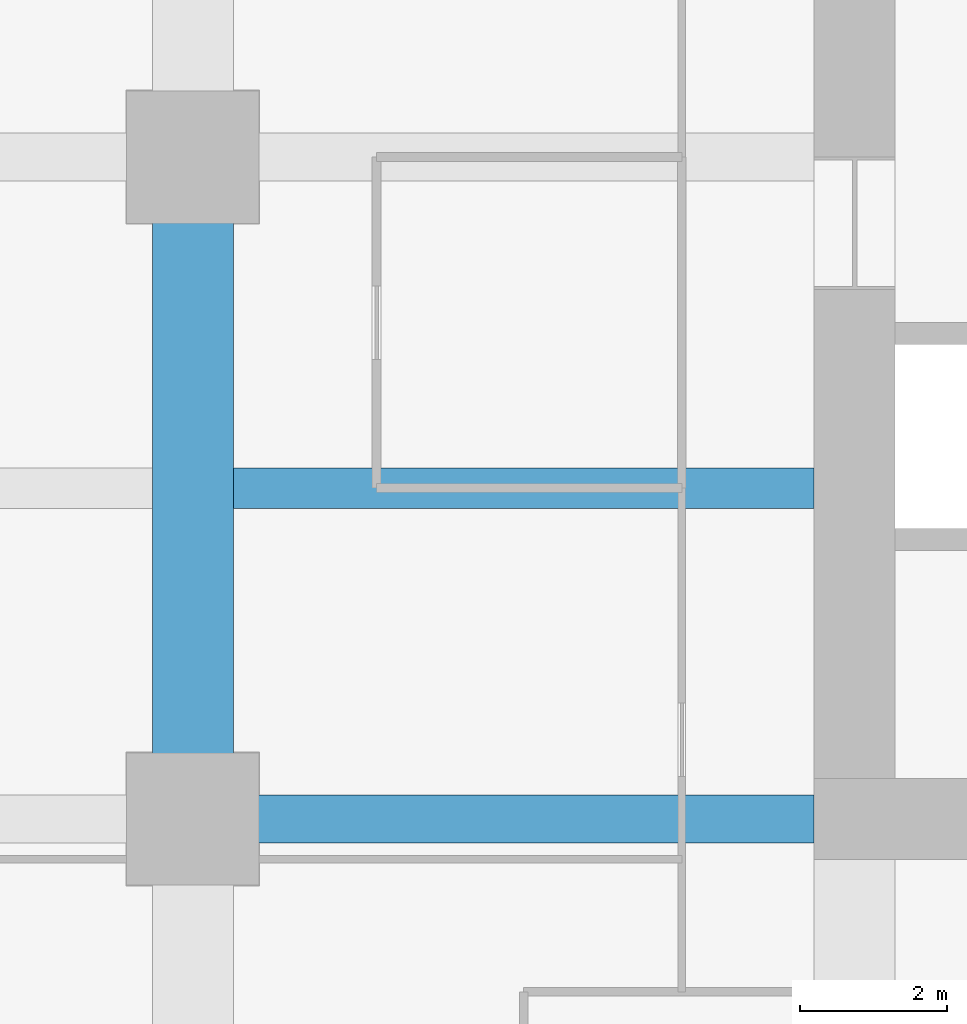
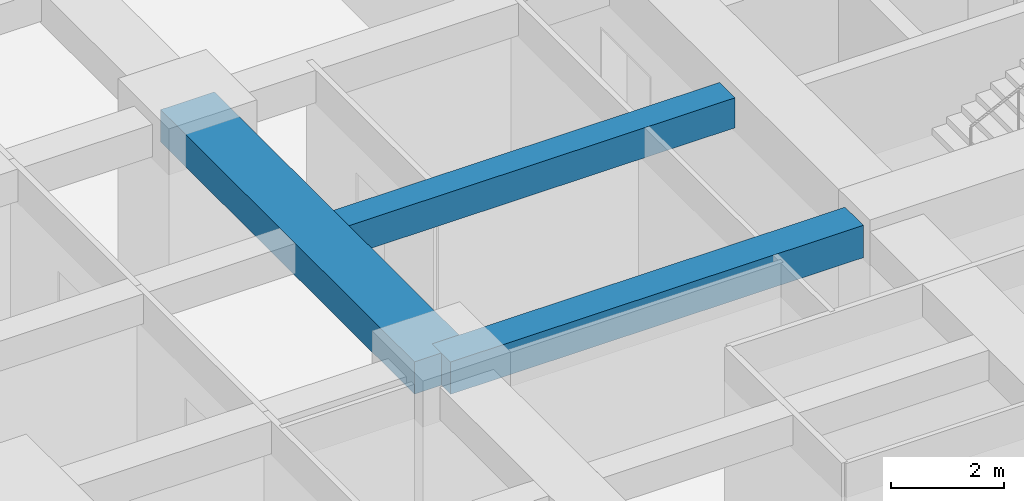
# One storey, part 10 of 41: 3 beams.
"""IFC4 building model written with IfcOpenShell, lengths in metres."""

from ifc_helpers import new_model, si_unit, direction, frame, origin, origin_2d, place, context, subcontext, project, spatial, rectangle, extrude, material, material_profile, profile_set, type_object, element, save


model = new_model("IFC4")

# Units and contexts
model_context = context("Model", 3, precision=1e-05, world=origin(), true_north=direction((0.0, 1.0)))
body_context = subcontext(model_context, "Body", "Model", "MODEL_VIEW")
ifc_project = project(units=[si_unit("LENGTHUNIT", "METRE"), si_unit("AREAUNIT", "SQUARE_METRE"), si_unit("VOLUMEUNIT", "CUBIC_METRE"), si_unit("PLANEANGLEUNIT", "RADIAN"), si_unit("MASSUNIT", "GRAM", prefix="KILO")], contexts=[model_context])

# Site, building, storey
site_placement = place(None, origin())
site = spatial("IfcSite", under=ifc_project, at=site_placement, CompositionType="ELEMENT")
building_placement = place(site_placement, origin())
building = spatial("IfcBuilding", under=site, at=building_placement, Name="Zorevar Civic Tower", CompositionType="ELEMENT")
storey_placement = place(building_placement, frame((0.0, 0.0, 137.0)))
storey = spatial("IfcBuildingStorey", under=building, at=storey_placement, Name="L33", CompositionType="ELEMENT", Elevation=137.0)

# Beams
ifc_material_1 = material(Name="Concrete C50/60", Category="concrete")
ifc_material_profile_1 = material_profile(ifc_material_1, rectangle(XDim=1.10009765625, YDim=0.699951171875, at=origin_2d()), Name="RC 1100x700")
ifc_profile_set_1 = profile_set([ifc_material_profile_1], Name="Concrete C50/60")
beam_type_1 = type_object("IfcBeamType", Name="Beam RC 1100x700", PredefinedType="BEAM", material=ifc_profile_set_1)
beam_1_placement = place(storey_placement, frame((9.0, 18.0, 3.39990234375), z_axis=(0.0, 1.0, 0.0), x_axis=(-1.0, 0.0, 0.0)))
element("IfcBeam", 1, at=beam_1_placement, inside=storey, type_object=beam_type_1, Name="Girder L34", PredefinedType="BEAM", context=body_context, shape_type="SweptSolid", body=[
    extrude(rectangle(XDim=1.10009765625, YDim=0.699951171875, at=origin_2d()), origin(), (0.0, 0.0, 1.0), 9.0),
])
ifc_material_2 = material(Name="Concrete C50/60", Category="concrete")
ifc_material_profile_2 = material_profile(ifc_material_2, rectangle(XDim=0.550048828125, YDim=0.64990234375, at=origin_2d()), Name="RC 550x650")
ifc_profile_set_2 = profile_set([ifc_material_profile_2], Name="Concrete C50/60")
beam_type_2 = type_object("IfcBeamType", Name="Beam RC 550x650", PredefinedType="BEAM", material=ifc_profile_set_2)
beam_2_placement = place(storey_placement, frame((9.550048828125, 22.5, 3.425048828125), z_axis=(1.0, 0.0, 0.0), x_axis=(0.0, 1.0, 0.0)))
element("IfcBeam", 2, at=beam_2_placement, inside=storey, type_object=beam_type_2, Name="Secondary beam L34", PredefinedType="BEAM", context=body_context, shape_type="SweptSolid", body=[
    extrude(rectangle(XDim=0.550048828125, YDim=0.64990234375, at=origin_2d()), origin(), (0.0, 0.0, 1.0), 7.89990234375),
])
ifc_material_3 = material(Name="Concrete C50/60", Category="concrete")
ifc_material_profile_3 = material_profile(ifc_material_3, rectangle(XDim=0.64990234375, YDim=0.699951171875, at=origin_2d()), Name="RC 650x700")
ifc_profile_set_3 = profile_set([ifc_material_profile_3], Name="Concrete C50/60")
beam_type_3 = type_object("IfcBeamType", Name="Beam RC 650x700", PredefinedType="BEAM", material=ifc_profile_set_3)
beam_3_placement = place(storey_placement, frame((9.0, 18.0, 3.39990234375), z_axis=(1.0, 0.0, 0.0), x_axis=(0.0, 1.0, 0.0)))
element("IfcBeam", 3, at=beam_3_placement, inside=storey, type_object=beam_type_3, Name="Girder L34", PredefinedType="BEAM", context=body_context, shape_type="SweptSolid", body=[
    extrude(rectangle(XDim=0.64990234375, YDim=0.699951171875, at=origin_2d()), origin(), (0.0, 0.0, 1.0), 8.449951171875),
])

save(model, "model.ifc")
